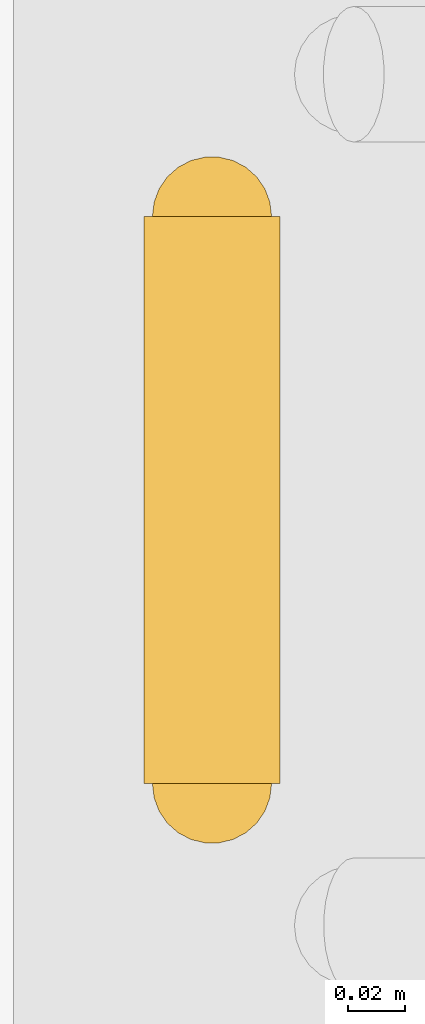
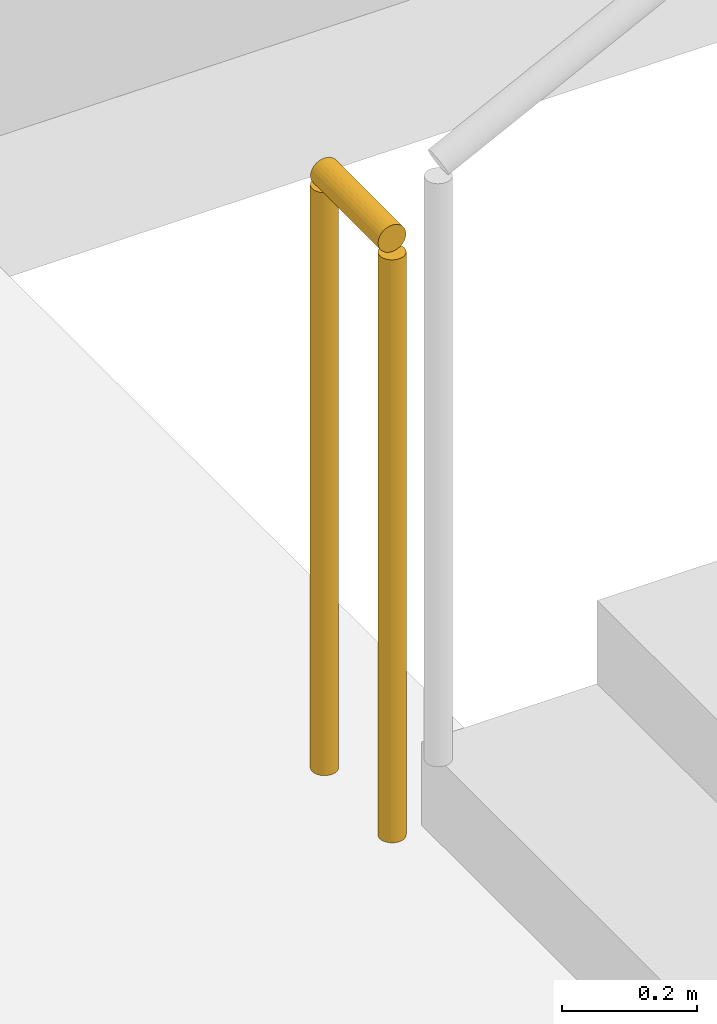
# One storey, part 31 of 35: 1 railing.
"""IFC4 building model written with IfcOpenShell, lengths in metres."""

from ifc_helpers import new_model, si_unit, direction, frame, origin, origin_2d, place, context, subcontext, project, spatial, circle, extrude, material, type_object, element, save


model = new_model("IFC4")

# Units and contexts
model_context = context("Model", 3, precision=1e-05, world=origin(), true_north=direction((0.0, 1.0)))
body_context = subcontext(model_context, "Body", "Model", "MODEL_VIEW")
ifc_project = project(units=[si_unit("LENGTHUNIT", "METRE"), si_unit("AREAUNIT", "SQUARE_METRE"), si_unit("VOLUMEUNIT", "CUBIC_METRE"), si_unit("PLANEANGLEUNIT", "RADIAN"), si_unit("MASSUNIT", "GRAM", prefix="KILO")], contexts=[model_context])

# Site, building, storey
site_placement = place(None, origin())
site = spatial("IfcSite", under=ifc_project, at=site_placement, CompositionType="ELEMENT")
building_placement = place(site_placement, origin())
building = spatial("IfcBuilding", under=site, at=building_placement, Name="Tizgana Railside Sports Hall", CompositionType="ELEMENT")
storey_placement = place(building_placement, frame((0.0, 0.0, 15.89990234375)))
storey = spatial("IfcBuildingStorey", under=building, at=storey_placement, Name="L03", CompositionType="ELEMENT", Elevation=15.89990234375)

# Railing
ifc_material = material(Name="Galvanised steel sheet", Category="steel")
railing_type = type_object("IfcRailingType", Name="Safety Balustrade Guard 1100", PredefinedType="BALUSTRADE", material=ifc_material)
railing_placement = place(storey_placement, frame((42.75, 2.050048828125, 0.0)))
element("IfcRailing", 1, at=railing_placement, inside=storey, type_object=railing_type, Name="L03 ST-02 stair guard 4", PredefinedType="BALUSTRADE", context=body_context, shape_type="SweptSolid", body=[
    extrude(circle(Radius=0.02392578125, at=origin_2d()), frame((0.0, 0.0, 1.076171875), z_axis=(0.0, 1.0, 0.0), x_axis=(-1.0, 0.0, 0.0)), (0.0, 0.0, 1.0), 0.199951171875),
    extrude(circle(Radius=0.02099609375, at=origin_2d()), origin(), (0.0, 0.0, 1.0), 1.052001953125),
    extrude(circle(Radius=0.02099609375, at=origin_2d()), frame((0.0, 0.199951171875, 0.0)), (0.0, 0.0, 1.0), 1.052001953125),
])

save(model, "model.ifc")
